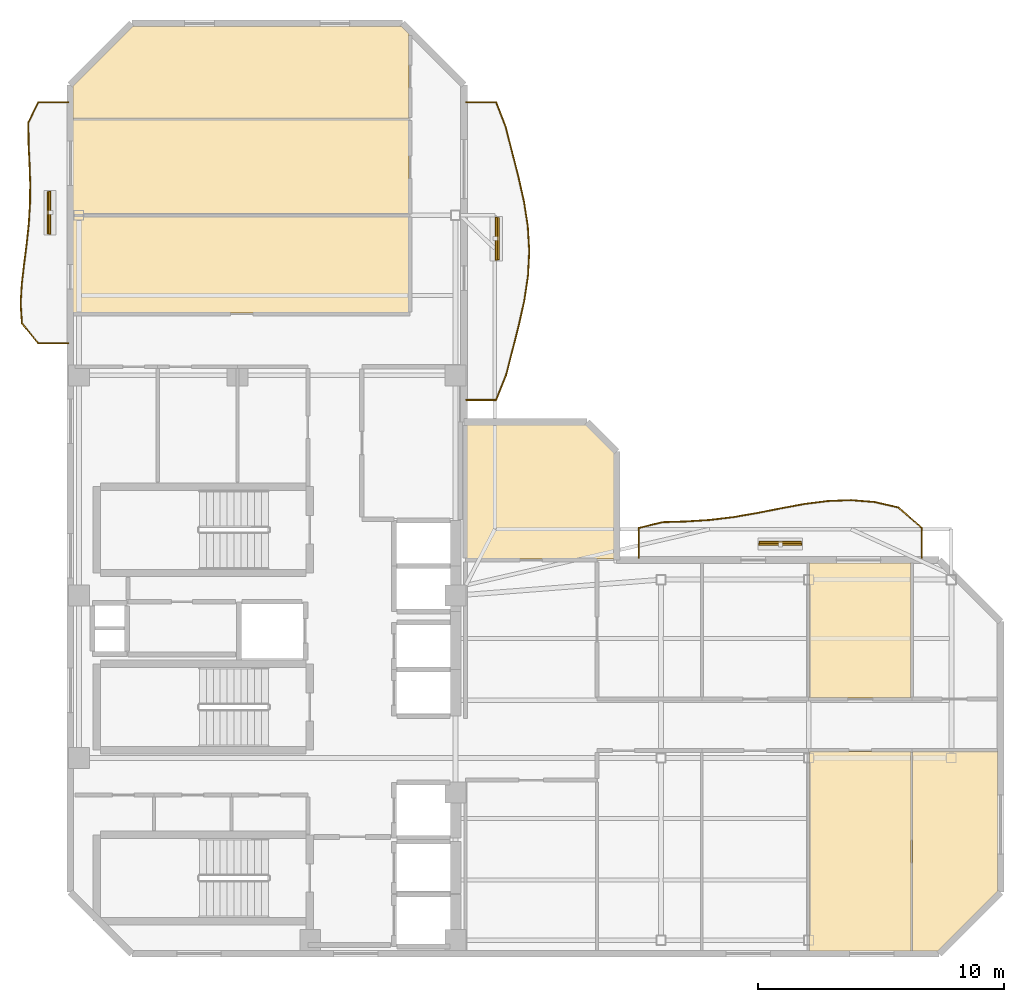
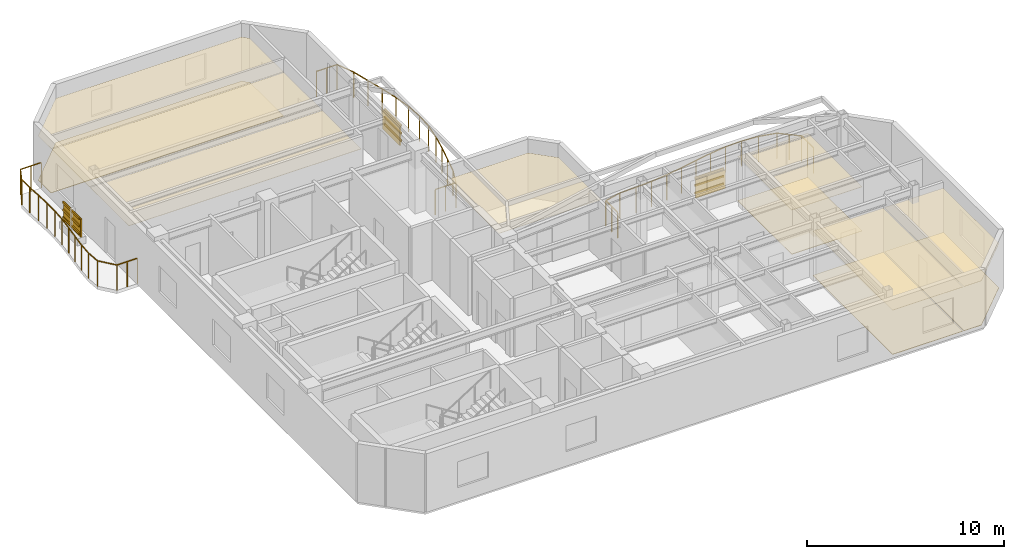
# One storey, part 7 of 7: 12 shading devices, 11 coverings, 3 railings.
"""IFC4 building model written with IfcOpenShell, lengths in metres."""

import ifcopenshell
import ifcopenshell.guid

model = None  # the IFC model being written
_history = None  # IfcOwnerHistory: only IFC2X3 demands one
_inside = {}  # id of a spatial element -> (the spatial element, [elements in it])
_under = {}  # id of a project, library or spatial element -> (it, [spatial elements below it])
_declared = {}  # id of a project -> (the project, [libraries it declares])
_typed = {}  # id of a type object -> (the type object, [elements of that type])
_made_of = {}  # id of a material, layer set ... -> (it, [elements and type objects made of it])


def new_model(schema):
    """Start an empty IFC model of exactly this schema.

    Asked for "IFC4X3", IfcOpenShell would pick the latest addendum, in which some entities
    have other attributes; the version numbers below select the first issue.
    IFC2X3 requires an IfcOwnerHistory on every rooted entity: one is made here for all.
    """
    global model, _history
    if schema == "IFC4X3":
        model = ifcopenshell.file(schema_version=(4, 3, 0, 0))
    else:
        model = ifcopenshell.file(schema=schema)
    _inside.clear()
    _under.clear()
    _declared.clear()
    _typed.clear()
    _made_of.clear()
    _history = None
    if model.schema == "IFC2X3":
        org = make("IfcOrganization", Name="unknown")
        user = make(
            "IfcPersonAndOrganization",
            ThePerson=make("IfcPerson", FamilyName="unknown"),
            TheOrganization=org,
        )
        app = make(
            "IfcApplication",
            ApplicationDeveloper=org,
            Version="unknown",
            ApplicationFullName="unknown",
            ApplicationIdentifier="unknown",
        )
        _history = make(
            "IfcOwnerHistory",
            OwningUser=user,
            OwningApplication=app,
            ChangeAction="ADDED",
            CreationDate=0,
        )
    return model


def make(cls, **values):
    """One entity of the class cls with the attributes given. An attribute that is None is left unset."""
    return model.create_entity(
        cls, **{name: value for name, value in values.items() if value is not None}
    )


def rooted(cls, **values):
    """An entity with a GlobalId (a new one), such as an element, a storey or a relation."""
    return make(cls, GlobalId=ifcopenshell.guid.new(), OwnerHistory=_history, **values)


def si_unit(unit_type, name, prefix=None):
    """IfcSIUnit, for example si_unit("LENGTHUNIT", "METRE", prefix="MILLI")."""
    return make("IfcSIUnit", UnitType=unit_type, Prefix=prefix, Name=name)


def assignment(units):
    """IfcUnitAssignment: the units of a project."""
    return None if units is None else make("IfcUnitAssignment", Units=units)


def point(xyz):
    """IfcCartesianPoint."""
    return None if xyz is None else make("IfcCartesianPoint", Coordinates=xyz)


def direction(xyz):
    """IfcDirection."""
    return None if xyz is None else make("IfcDirection", DirectionRatios=xyz)


def frame(location, z_axis=None, x_axis=None):
    """IfcAxis2Placement3D, a coordinate frame: its origin and axes. An axis left out is left unset."""
    return make(
        "IfcAxis2Placement3D",
        Location=point(location),
        Axis=direction(z_axis),
        RefDirection=direction(x_axis),
    )


def frame_2d(location, x_axis=None):
    """IfcAxis2Placement2D, a coordinate frame in the plane: its origin and x axis."""
    return make(
        "IfcAxis2Placement2D", Location=point(location), RefDirection=direction(x_axis)
    )


def origin():
    """The frame at (0, 0, 0) with its axes left unset."""
    return frame((0.0, 0.0, 0.0))


def origin_2d():
    """The frame at (0, 0) in the plane with its x axis left unset."""
    return frame_2d((0.0, 0.0))


def place(relative_to, where):
    """IfcLocalPlacement: puts the frame where relative to a parent placement (None: the world)."""
    return make(
        "IfcLocalPlacement", PlacementRelTo=relative_to, RelativePlacement=where
    )


def context(
    kind, dimensions, precision=None, world=None, true_north=None, identifier=None
):
    """IfcGeometricRepresentationContext, for example the 3D "Model" context."""
    return make(
        "IfcGeometricRepresentationContext",
        ContextIdentifier=identifier,
        ContextType=kind,
        CoordinateSpaceDimension=dimensions,
        Precision=precision,
        WorldCoordinateSystem=world,
        TrueNorth=true_north,
    )


def subcontext(parent, identifier, kind, view, scale=None):
    """IfcGeometricRepresentationSubContext, for example "Body" below "Model"."""
    return make(
        "IfcGeometricRepresentationSubContext",
        ContextIdentifier=identifier,
        ContextType=kind,
        ParentContext=parent,
        TargetScale=scale,
        TargetView=view,
    )


def project(units=None, contexts=None):
    """IfcProject with its units and contexts."""
    return rooted(
        "IfcProject",
        Name="project",
        RepresentationContexts=contexts,
        UnitsInContext=assignment(units),
    )


def spatial(cls, under=None, at=None, **own):
    """A site, building, storey or space (cls), placed at a placement, below another one or the project."""
    s = rooted(cls, ObjectPlacement=at, **own)
    if under is not None:
        _under.setdefault(under.id(), (under, []))[1].append(s)
    return s


def polyline(points):
    """IfcPolyline through the points."""
    return make("IfcPolyline", Points=[point(p) for p in points])


def profile(cls, at=None, kind="AREA", **sizes):
    """A parametric profile (cls). Its sizes go by their IFC names, for example OverallWidth=200.0."""
    return make(cls, ProfileType=kind, Position=at, **sizes)


def rectangle(**sizes):
    """IfcRectangleProfileDef."""
    return profile("IfcRectangleProfileDef", **sizes)


def outline(outer, holes=None, kind="AREA"):
    """IfcArbitraryClosedProfileDef: a profile drawn as a closed curve; with holes, ...WithVoids."""
    if holes is None:
        return make("IfcArbitraryClosedProfileDef", ProfileType=kind, OuterCurve=outer)
    return make(
        "IfcArbitraryProfileDefWithVoids",
        ProfileType=kind,
        OuterCurve=outer,
        InnerCurves=holes,
    )


def extrude(swept, where, along, depth):
    """IfcExtrudedAreaSolid: the profile swept, set in the frame where, extruded along a direction by depth."""
    return make(
        "IfcExtrudedAreaSolid",
        SweptArea=swept,
        Position=where,
        ExtrudedDirection=direction(along),
        Depth=depth,
    )


def shape(context_of_items, identifier, shape_type, items):
    """IfcShapeRepresentation: the items that make up one representation, for example the "Body"."""
    return make(
        "IfcShapeRepresentation",
        ContextOfItems=context_of_items,
        RepresentationIdentifier=identifier,
        RepresentationType=shape_type,
        Items=items,
    )


def material(Name=None, Category=None):
    """IfcMaterial."""
    return make("IfcMaterial", Name=Name, Category=Category)


def layer(
    of_material, thickness, ventilated=None, Name=None, Category=None, Priority=None
):
    """IfcMaterialLayer: one layer of a wall or slab, of a material (None: an air gap)."""
    return make(
        "IfcMaterialLayer",
        Material=of_material,
        LayerThickness=thickness,
        IsVentilated=ventilated,
        Name=Name,
        Category=Category,
        Priority=Priority,
    )


def layer_set(layers, Name=None):
    """IfcMaterialLayerSet."""
    return make("IfcMaterialLayerSet", MaterialLayers=layers, LayerSetName=Name)


def material_profile(
    of_material, cross_section, Name=None, Category=None, Priority=None
):
    """IfcMaterialProfile: a cross section and its material."""
    return make(
        "IfcMaterialProfile",
        Name=Name,
        Material=of_material,
        Profile=cross_section,
        Priority=Priority,
        Category=Category,
    )


def profile_set(profiles, Name=None, composite=None):
    """IfcMaterialProfileSet."""
    return make(
        "IfcMaterialProfileSet",
        Name=Name,
        MaterialProfiles=profiles,
        CompositeProfile=composite,
    )


def made_of(thing, what):
    """Note that an element or type object is made of a material, layer set ...; save() writes the relation."""
    if what is not None:
        _made_of.setdefault(what.id(), (what, []))[1].append(thing)
    return thing


def type_object(cls, material=None, **own):
    """A type object (cls), such as IfcWallType, which elements share."""
    return made_of(rooted(cls, **own), material)


def element(
    cls,
    number,
    at=None,
    inside=None,
    cuts=None,
    type_object=None,
    material=None,
    context=None,
    identifier="Body",
    shape_type=None,
    held_by="IfcProductDefinitionShape",
    body=None,
    shapes=None,
    **own,
):
    """One element of the class cls, such as IfcWall. Its Tag is "e" and its number.

    at: its placement. inside: the storey or other place that contains it. cuts: it is an
    opening in that element (IfcRelVoidsElement). A single representation is given by context,
    identifier, shape_type and body (its items); several are given by shapes. held_by: the class
    of the entity that holds the representations. save() writes the other relations.
    """
    e = rooted(cls, Tag="e%d" % number, ObjectPlacement=at, **own)
    if body is not None:
        shapes = [shape(context, identifier, shape_type, body)]
    if shapes is not None:
        e.Representation = make(held_by, Representations=shapes)
    if inside is not None:
        _inside.setdefault(inside.id(), (inside, []))[1].append(e)
    if cuts is not None:
        rooted(
            "IfcRelVoidsElement", RelatingBuildingElement=cuts, RelatedOpeningElement=e
        )
    if type_object is not None:
        _typed.setdefault(type_object.id(), (type_object, []))[1].append(e)
    return made_of(e, material)


def aggregate(whole, parts):
    """IfcRelAggregates: a whole, such as a stair, and the parts it consists of."""
    return rooted("IfcRelAggregates", RelatingObject=whole, RelatedObjects=parts)


def save(model, path):
    """Write the relations noted so far, then the file.

    IfcRelAggregates (storeys below a building ...), IfcRelContainedInSpatialStructure (elements
    in a storey), IfcRelDefinesByType, IfcRelAssociatesMaterial and IfcRelDeclares: one each for
    every whole, place, type object, material and project.
    """
    for whole, parts in _under.values():
        aggregate(whole, parts)
    for where, things in _inside.values():
        rooted(
            "IfcRelContainedInSpatialStructure",
            RelatedElements=things,
            RelatingStructure=where,
        )
    for kind, things in _typed.values():
        rooted("IfcRelDefinesByType", RelatedObjects=things, RelatingType=kind)
    for what, things in _made_of.values():
        rooted("IfcRelAssociatesMaterial", RelatedObjects=things, RelatingMaterial=what)
    for by, libraries in _declared.values():
        rooted("IfcRelDeclares", RelatingContext=by, RelatedDefinitions=libraries)
    model.write(path)


model = new_model("IFC4")

# Units and contexts
model_context = context("Model", 3, precision=1e-05, world=origin(), true_north=direction((0.0, 1.0)))
body_context = subcontext(model_context, "Body", "Model", "MODEL_VIEW")
ifc_project = project(units=[si_unit("LENGTHUNIT", "METRE"), si_unit("AREAUNIT", "SQUARE_METRE"), si_unit("VOLUMEUNIT", "CUBIC_METRE"), si_unit("PLANEANGLEUNIT", "RADIAN"), si_unit("MASSUNIT", "GRAM", prefix="KILO")], contexts=[model_context])

# Site, building, storey
site_placement = place(None, origin())
site = spatial("IfcSite", under=ifc_project, at=site_placement, CompositionType="ELEMENT")
building_placement = place(site_placement, origin())
building = spatial("IfcBuilding", under=site, at=building_placement, Name="Mawjaban Terraces University", CompositionType="ELEMENT")
storey_placement = place(building_placement, frame((0.0, 0.0, 302.800048828125)))
storey = spatial("IfcBuildingStorey", under=building, at=storey_placement, Name="L74", CompositionType="ELEMENT", Elevation=302.800048828125)

# Coverings
ifc_material_1 = material(Name="Acoustic mineral fibre ceiling tile", Category="masonry")
ifc_layer_1 = layer(ifc_material_1, 0.02001953125)
ifc_layer_set_1 = layer_set([ifc_layer_1], Name="Acoustic mineral fibre ceiling tile")
covering_type_1 = type_object("IfcCoveringType", Name="AcousticMineralCeiling_20", PredefinedType="CEILING", material=ifc_layer_set_1)
covering_1_placement = place(storey_placement, frame((0.0, 0.0, 2.75)))
element("IfcCovering", 1, at=covering_1_placement, inside=storey, type_object=covering_type_1, Name="L74 Conference Room 6 Acoustic Ceiling", PredefinedType="CEILING", context=body_context, shape_type="SweptSolid", body=[
    extrude(outline(polyline([(52.030029296875, 0.114990234375), (56.162109375, 0.114990234375), (56.162109375, 8.219970703125), (52.030029296875, 8.219970703125), (52.030029296875, 0.114990234375)])), origin(), (0.0, 0.0, 1.0), 0.02001953125),
])
covering_2_placement = place(storey_placement, frame((0.0, 0.0, 2.75)))
element("IfcCovering", 2, at=covering_2_placement, inside=storey, type_object=covering_type_1, Name="L74 Classroom 7 Acoustic Ceiling", PredefinedType="CEILING", context=body_context, shape_type="SweptSolid", body=[
    extrude(outline(polyline([(56.162109375, 15.885009765625), (52.030029296875, 15.885009765625), (52.030029296875, 10.3798828125), (56.162109375, 10.3798828125), (56.162109375, 15.885009765625)])), origin(), (0.0, 0.0, 1.0), 0.02001953125),
])
covering_3_placement = place(storey_placement, frame((0.0, 0.0, 2.75)))
element("IfcCovering", 3, at=covering_3_placement, inside=storey, type_object=covering_type_1, Name="L74 Seminar Room 8 Acoustic Ceiling", PredefinedType="CEILING", context=body_context, shape_type="SweptSolid", body=[
    extrude(outline(polyline([(56.221923828125, 0.114990234375), (57.2529296875, 0.114990234375), (59.68505859375, 2.547119140625), (59.68505859375, 8.219970703125), (56.221923828125, 8.219970703125), (56.221923828125, 0.114990234375)])), origin(), (0.0, 0.0, 1.0), 0.02001953125),
])
covering_4_placement = place(storey_placement, frame((0.0, 0.0, 2.75)))
element("IfcCovering", 4, at=covering_4_placement, inside=storey, type_object=covering_type_1, Name="L74 Student Tea Pantry 10 Acoustic Ceiling", PredefinedType="CEILING", context=body_context, shape_type="SweptSolid", body=[
    extrude(outline(polyline([(22.114990234375, 29.969970703125), (22.114990234375, 26.030029296875), (35.77001953125, 26.030029296875), (35.77001953125, 29.969970703125), (22.114990234375, 29.969970703125)])), origin(), (0.0, 0.0, 1.0), 0.02001953125),
])
covering_5_placement = place(storey_placement, frame((0.0, 0.0, 2.75)))
element("IfcCovering", 5, at=covering_5_placement, inside=storey, type_object=covering_type_1, Name="L74 Student Tea Pantry 11 Acoustic Ceiling", PredefinedType="CEILING", context=body_context, shape_type="SweptSolid", body=[
    extrude(outline(polyline([(22.114990234375, 33.8759765625), (22.114990234375, 30.030029296875), (35.77001953125, 30.030029296875), (35.77001953125, 33.8759765625), (22.114990234375, 33.8759765625)])), origin(), (0.0, 0.0, 1.0), 0.02001953125),
])
covering_6_placement = place(storey_placement, frame((0.0, 0.0, 2.75)))
element("IfcCovering", 6, at=covering_6_placement, inside=storey, type_object=covering_type_1, Name="L74 Quiet Reading Room 12 Acoustic Ceiling", PredefinedType="CEILING", context=body_context, shape_type="SweptSolid", body=[
    extrude(outline(polyline([(35.77001953125, 37.367919921875), (35.452880859375, 37.68505859375), (24.547119140625, 37.68505859375), (22.114990234375, 35.2529296875), (22.114990234375, 33.93603515625), (35.77001953125, 33.93603515625), (35.77001953125, 37.367919921875)])), origin(), (0.0, 0.0, 1.0), 0.02001953125),
])
covering_7_placement = place(storey_placement, frame((0.0, 0.0, 2.75)))
element("IfcCovering", 7, at=covering_7_placement, inside=storey, type_object=covering_type_1, Name="L74 Terrace Collaborative Study Room Acoustic Ceiling", PredefinedType="CEILING", context=body_context, shape_type="SweptSolid", body=[
    extrude(outline(polyline([(44.0849609375, 16.030029296875), (44.0849609375, 20.35302734375), (42.952880859375, 21.485107421875), (38.080078125, 21.485107421875), (38.080078125, 16.030029296875), (44.0849609375, 16.030029296875)])), origin(), (0.0, 0.0, 1.0), 0.02001953125),
])

# Railings
ifc_material_2 = material(Name="Galvanised powder-coated steel S355", Category="steel")
railing_type = type_object("IfcRailingType", Name="BalconyBalustrade_1600", PredefinedType="BALUSTRADE", material=ifc_material_2)
railing_1_placement = place(storey_placement, frame((21.919921875, 24.800048828125, 0.0)))
element("IfcRailing", 8, at=railing_1_placement, inside=storey, type_object=railing_type, Name="L74 Balcony Guardrail west", PredefinedType="BALUSTRADE", context=body_context, shape_type="SweptSolid", body=[
    extrude(rectangle(XDim=0.048095703125, YDim=0.048095703125, at=origin_2d()), frame((0.0, 0.0, 1.576171875), z_axis=(-1.0, 0.0, 0.0), x_axis=(0.0, -1.0, 0.0)), (0.0, 0.0, 1.0), 1.219970703125),
    extrude(rectangle(XDim=0.048095703125, YDim=0.048095703125, at=origin_2d()), frame((-1.219970703125, 0.0, 1.576171875), z_axis=(-0.632455870978, 0.774596392494, 0.0), x_axis=(-0.774596392494, -0.632455870978, 0.0)), (0.0, 0.0, 1.0), 1.0546875),
    extrude(rectangle(XDim=0.048095703125, YDim=0.048095703125, at=origin_2d()), frame((-1.886962890625, 0.81689453125, 1.576171875), z_axis=(-0.063586288171, 0.997976344387, 0.0), x_axis=(-0.997976344387, -0.063586288171, 0.0)), (0.0, 0.0, 1.0), 0.81787109375),
    extrude(rectangle(XDim=0.048095703125, YDim=0.048095703125, at=origin_2d()), frame((-1.93896484375, 1.633056640625, 1.576171875), z_axis=(0.061152519077, 0.998128433324, 0.0), x_axis=(-0.998128433324, 0.061152519077, 0.0)), (0.0, 0.0, 1.0), 0.818359375),
    extrude(rectangle(XDim=0.048095703125, YDim=0.048095703125, at=origin_2d()), frame((-1.888916015625, 2.449951171875, 1.576171875), z_axis=(0.116651804912, 0.993172873376, 0.0), x_axis=(-0.993172873376, 0.116651804912, 0.0)), (0.0, 0.0, 1.0), 0.822509765625),
    extrude(rectangle(XDim=0.048095703125, YDim=0.048095703125, at=origin_2d()), frame((-1.79296875, 3.266845703125, 1.576171875), z_axis=(0.126408243371, 0.991978304202, 0.0), x_axis=(-0.991978304202, 0.126408243371, 0.0)), (0.0, 0.0, 1.0), 0.82275390625),
    extrude(rectangle(XDim=0.048095703125, YDim=0.048095703125, at=origin_2d()), frame((-1.68896484375, 4.0830078125, 1.576171875), z_axis=(0.103446794992, 0.994634988629, 0.0), x_axis=(-0.994634988629, 0.103446794992, 0.0)), (0.0, 0.0, 1.0), 0.8212890625),
    extrude(rectangle(XDim=0.048095703125, YDim=0.048095703125, at=origin_2d()), frame((-1.60400390625, 4.89990234375, 1.576171875), z_axis=(0.057567949493, 0.998341590434, 0.0), x_axis=(-0.998341590434, 0.057567949493, 0.0)), (0.0, 0.0, 1.0), 0.818603515625),
    extrude(rectangle(XDim=0.048095703125, YDim=0.048095703125, at=origin_2d()), frame((-1.556884765625, 5.717041015625, 1.576171875), z_axis=(0.007181143377, 0.999974215257, 0.0), x_axis=(-0.999974215257, 0.007181143377, 0.0)), (0.0, 0.0, 1.0), 0.81591796875),
    extrude(rectangle(XDim=0.048095703125, YDim=0.048095703125, at=origin_2d()), frame((-1.551025390625, 6.532958984375, 1.576171875), z_axis=(-0.035244079696, 0.999378734438, 0.0), x_axis=(-0.999378734438, -0.035244079696, 0.0)), (0.0, 0.0, 1.0), 0.8173828125),
    extrude(rectangle(XDim=0.048095703125, YDim=0.048095703125, at=origin_2d()), frame((-1.579833984375, 7.349853515625, 1.576171875), z_axis=(-0.04894038811, 0.998801701246, 0.0), x_axis=(-0.998801701246, -0.04894038811, 0.0)), (0.0, 0.0, 1.0), 0.818115234375),
    extrude(rectangle(XDim=0.048095703125, YDim=0.048095703125, at=origin_2d()), frame((-1.619873046875, 8.1669921875, 1.576171875), z_axis=(-0.003590641126, 0.999993553627, 0.0), x_axis=(-0.999993553627, -0.003590641126, 0.0)), (0.0, 0.0, 1.0), 0.81591796875),
    extrude(rectangle(XDim=0.048095703125, YDim=0.048095703125, at=origin_2d()), frame((-1.622802734375, 8.98291015625, 1.576171875), z_axis=(0.442168460361, 0.89693202232, 0.0), x_axis=(-0.89693202232, 0.442168460361, 0.0)), (0.0, 0.0, 1.0), 0.9111328125),
    extrude(rectangle(XDim=0.048095703125, YDim=0.048095703125, at=origin_2d()), frame((-1.219970703125, 9.800048828125, 1.576171875), z_axis=(1.0, 0.0, 0.0), x_axis=(0.0, 1.0, 0.0)), (0.0, 0.0, 1.0), 1.219970703125),
    extrude(rectangle(XDim=0.0419921875, YDim=0.0419921875, at=origin_2d()), origin(), (0.0, 0.0, 1.0), 1.552001953125),
    extrude(rectangle(XDim=0.0419921875, YDim=0.0419921875, at=origin_2d()), frame((-0.60986328125, 0.0, 0.0)), (0.0, 0.0, 1.0), 1.552001953125),
    extrude(rectangle(XDim=0.0419921875, YDim=0.0419921875, at=origin_2d()), frame((-1.219970703125, 0.0, 0.0)), (0.0, 0.0, 1.0), 1.552001953125),
    extrude(rectangle(XDim=0.0419921875, YDim=0.0419921875, at=origin_2d()), frame((-1.886962890625, 0.81689453125, 0.0)), (0.0, 0.0, 1.0), 1.552001953125),
    extrude(rectangle(XDim=0.0419921875, YDim=0.0419921875, at=origin_2d()), frame((-1.93896484375, 1.633056640625, 0.0)), (0.0, 0.0, 1.0), 1.552001953125),
    extrude(rectangle(XDim=0.0419921875, YDim=0.0419921875, at=origin_2d()), frame((-1.888916015625, 2.449951171875, 0.0)), (0.0, 0.0, 1.0), 1.552001953125),
    extrude(rectangle(XDim=0.0419921875, YDim=0.0419921875, at=origin_2d()), frame((-1.79296875, 3.266845703125, 0.0)), (0.0, 0.0, 1.0), 1.552001953125),
    extrude(rectangle(XDim=0.0419921875, YDim=0.0419921875, at=origin_2d()), frame((-1.68896484375, 4.0830078125, 0.0)), (0.0, 0.0, 1.0), 1.552001953125),
    extrude(rectangle(XDim=0.0419921875, YDim=0.0419921875, at=origin_2d()), frame((-1.60400390625, 4.89990234375, 0.0)), (0.0, 0.0, 1.0), 1.552001953125),
    extrude(rectangle(XDim=0.0419921875, YDim=0.0419921875, at=origin_2d()), frame((-1.556884765625, 5.717041015625, 0.0)), (0.0, 0.0, 1.0), 1.552001953125),
    extrude(rectangle(XDim=0.0419921875, YDim=0.0419921875, at=origin_2d()), frame((-1.551025390625, 6.532958984375, 0.0)), (0.0, 0.0, 1.0), 1.552001953125),
    extrude(rectangle(XDim=0.0419921875, YDim=0.0419921875, at=origin_2d()), frame((-1.579833984375, 7.349853515625, 0.0)), (0.0, 0.0, 1.0), 1.552001953125),
    extrude(rectangle(XDim=0.0419921875, YDim=0.0419921875, at=origin_2d()), frame((-1.619873046875, 8.1669921875, 0.0)), (0.0, 0.0, 1.0), 1.552001953125),
    extrude(rectangle(XDim=0.0419921875, YDim=0.0419921875, at=origin_2d()), frame((-1.622802734375, 8.98291015625, 0.0)), (0.0, 0.0, 1.0), 1.552001953125),
    extrude(rectangle(XDim=0.0419921875, YDim=0.0419921875, at=origin_2d()), frame((-1.219970703125, 9.800048828125, 0.0)), (0.0, 0.0, 1.0), 1.552001953125),
    extrude(rectangle(XDim=0.0419921875, YDim=0.0419921875, at=origin_2d()), frame((-0.60986328125, 9.800048828125, 0.0)), (0.0, 0.0, 1.0), 1.552001953125),
    extrude(rectangle(XDim=0.0419921875, YDim=0.0419921875, at=origin_2d()), frame((0.0, 9.800048828125, 0.0)), (0.0, 0.0, 1.0), 1.552001953125),
])
railing_2_placement = place(storey_placement, frame((45.10009765625, 16.080078125, 0.0)))
element("IfcRailing", 9, at=railing_2_placement, inside=storey, type_object=railing_type, Name="L74 Balcony Guardrail inner_north", PredefinedType="BALUSTRADE", context=body_context, shape_type="SweptSolid", body=[
    extrude(rectangle(XDim=0.048095703125, YDim=0.048095703125, at=origin_2d()), frame((0.0, 0.0, 1.576171875), z_axis=(0.0, 1.0, 0.0), x_axis=(-1.0, 0.0, 0.0)), (0.0, 0.0, 1.0), 1.219970703125),
    extrude(rectangle(XDim=0.048095703125, YDim=0.048095703125, at=origin_2d()), frame((0.0, 1.219970703125, 1.576171875), z_axis=(0.971009577293, 0.239040584013, 0.0), x_axis=(-0.239040584013, 0.971009577293, 0.0)), (0.0, 0.0, 1.0), 0.986572265625),
    extrude(rectangle(XDim=0.048095703125, YDim=0.048095703125, at=origin_2d()), frame((0.9580078125, 1.455810546875, 1.576171875), z_axis=(0.99954141257, 0.030281422631, 0.0), x_axis=(-0.030281422631, 0.99954141257, 0.0)), (0.0, 0.0, 1.0), 0.95947265625),
    extrude(rectangle(XDim=0.048095703125, YDim=0.048095703125, at=origin_2d()), frame((1.9169921875, 1.48486328125, 1.576171875), z_axis=(0.998040684472, 0.062568299791, 0.0), x_axis=(-0.062568299791, 0.998040684472, 0.0)), (0.0, 0.0, 1.0), 0.9599609375),
    extrude(rectangle(XDim=0.048095703125, YDim=0.048095703125, at=origin_2d()), frame((2.875, 1.544921875, 1.576171875), z_axis=(0.992873246187, 0.119175152639, 0.0), x_axis=(-0.119175152639, 0.992873246187, 0.0)), (0.0, 0.0, 1.0), 0.96484375),
    extrude(rectangle(XDim=0.048095703125, YDim=0.048095703125, at=origin_2d()), frame((3.8330078125, 1.659912109375, 1.576171875), z_axis=(0.985512218227, 0.169604444888, 0.0), x_axis=(-0.169604444888, 0.985512218227, 0.0)), (0.0, 0.0, 1.0), 0.97314453125),
    extrude(rectangle(XDim=0.048095703125, YDim=0.048095703125, at=origin_2d()), frame((4.7919921875, 1.824951171875, 1.576171875), z_axis=(0.981096520118, 0.193519038372, 0.0), x_axis=(-0.193519038372, 0.981096520118, 0.0)), (0.0, 0.0, 1.0), 0.9765625),
    extrude(rectangle(XDim=0.048095703125, YDim=0.048095703125, at=origin_2d()), frame((5.75, 2.013916015625, 1.576171875), z_axis=(0.983356703405, 0.181685425578, 0.0), x_axis=(-0.181685425578, 0.983356703405, 0.0)), (0.0, 0.0, 1.0), 0.97412109375),
    extrude(rectangle(XDim=0.048095703125, YDim=0.048095703125, at=origin_2d()), frame((6.7080078125, 2.19091796875, 1.576171875), z_axis=(0.991740611713, 0.128259732879, 0.0), x_axis=(-0.128259732879, 0.991740611713, 0.0)), (0.0, 0.0, 1.0), 0.967041015625),
    extrude(rectangle(XDim=0.048095703125, YDim=0.048095703125, at=origin_2d()), frame((7.6669921875, 2.31494140625, 1.576171875), z_axis=(0.99926042214, 0.038452681892, 0.0), x_axis=(-0.038452681892, 0.99926042214, 0.0)), (0.0, 0.0, 1.0), 0.958740234375),
    extrude(rectangle(XDim=0.048095703125, YDim=0.048095703125, at=origin_2d()), frame((8.625, 2.351806640625, 1.576171875), z_axis=(0.996711883183, -0.081027291217, 0.0), x_axis=(0.081027291217, 0.996711883183, 0.0)), (0.0, 0.0, 1.0), 0.961181640625),
    extrude(rectangle(XDim=0.048095703125, YDim=0.048095703125, at=origin_2d()), frame((9.5830078125, 2.27392578125, 1.576171875), z_axis=(0.974687275696, -0.223572615937, 0.0), x_axis=(0.223572615937, 0.974687275696, 0.0)), (0.0, 0.0, 1.0), 0.98388671875),
    extrude(rectangle(XDim=0.048095703125, YDim=0.048095703125, at=origin_2d()), frame((10.5419921875, 2.053955078125, 1.576171875), z_axis=(0.754241257704, -0.656597384382, 0.0), x_axis=(0.656597384382, 0.754241257704, 0.0)), (0.0, 0.0, 1.0), 1.270263671875),
    extrude(rectangle(XDim=0.048095703125, YDim=0.048095703125, at=origin_2d()), frame((11.5, 1.219970703125, 1.576171875), z_axis=(0.0, -1.0, 0.0), x_axis=(1.0, 0.0, 0.0)), (0.0, 0.0, 1.0), 1.219970703125),
    extrude(rectangle(XDim=0.0419921875, YDim=0.0419921875, at=origin_2d()), origin(), (0.0, 0.0, 1.0), 1.552001953125),
    extrude(rectangle(XDim=0.0419921875, YDim=0.0419921875, at=origin_2d()), frame((0.0, 0.60986328125, 0.0)), (0.0, 0.0, 1.0), 1.552001953125),
    extrude(rectangle(XDim=0.0419921875, YDim=0.0419921875, at=origin_2d()), frame((0.0, 1.219970703125, 0.0)), (0.0, 0.0, 1.0), 1.552001953125),
    extrude(rectangle(XDim=0.0419921875, YDim=0.0419921875, at=origin_2d()), frame((0.9580078125, 1.455810546875, 0.0)), (0.0, 0.0, 1.0), 1.552001953125),
    extrude(rectangle(XDim=0.0419921875, YDim=0.0419921875, at=origin_2d()), frame((1.9169921875, 1.48486328125, 0.0)), (0.0, 0.0, 1.0), 1.552001953125),
    extrude(rectangle(XDim=0.0419921875, YDim=0.0419921875, at=origin_2d()), frame((2.875, 1.544921875, 0.0)), (0.0, 0.0, 1.0), 1.552001953125),
    extrude(rectangle(XDim=0.0419921875, YDim=0.0419921875, at=origin_2d()), frame((3.8330078125, 1.659912109375, 0.0)), (0.0, 0.0, 1.0), 1.552001953125),
    extrude(rectangle(XDim=0.0419921875, YDim=0.0419921875, at=origin_2d()), frame((4.7919921875, 1.824951171875, 0.0)), (0.0, 0.0, 1.0), 1.552001953125),
    extrude(rectangle(XDim=0.0419921875, YDim=0.0419921875, at=origin_2d()), frame((5.75, 2.013916015625, 0.0)), (0.0, 0.0, 1.0), 1.552001953125),
    extrude(rectangle(XDim=0.0419921875, YDim=0.0419921875, at=origin_2d()), frame((6.7080078125, 2.19091796875, 0.0)), (0.0, 0.0, 1.0), 1.552001953125),
    extrude(rectangle(XDim=0.0419921875, YDim=0.0419921875, at=origin_2d()), frame((7.6669921875, 2.31494140625, 0.0)), (0.0, 0.0, 1.0), 1.552001953125),
    extrude(rectangle(XDim=0.0419921875, YDim=0.0419921875, at=origin_2d()), frame((8.625, 2.351806640625, 0.0)), (0.0, 0.0, 1.0), 1.552001953125),
    extrude(rectangle(XDim=0.0419921875, YDim=0.0419921875, at=origin_2d()), frame((9.5830078125, 2.27392578125, 0.0)), (0.0, 0.0, 1.0), 1.552001953125),
    extrude(rectangle(XDim=0.0419921875, YDim=0.0419921875, at=origin_2d()), frame((10.5419921875, 2.053955078125, 0.0)), (0.0, 0.0, 1.0), 1.552001953125),
    extrude(rectangle(XDim=0.0419921875, YDim=0.0419921875, at=origin_2d()), frame((11.02099609375, 1.636962890625, 0.0)), (0.0, 0.0, 1.0), 1.552001953125),
    extrude(rectangle(XDim=0.0419921875, YDim=0.0419921875, at=origin_2d()), frame((11.5, 1.219970703125, 0.0)), (0.0, 0.0, 1.0), 1.552001953125),
    extrude(rectangle(XDim=0.0419921875, YDim=0.0419921875, at=origin_2d()), frame((11.5, 0.60986328125, 0.0)), (0.0, 0.0, 1.0), 1.552001953125),
    extrude(rectangle(XDim=0.0419921875, YDim=0.0419921875, at=origin_2d()), frame((11.5, 0.0, 0.0)), (0.0, 0.0, 1.0), 1.552001953125),
])
railing_3_placement = place(storey_placement, frame((38.080078125, 22.5, 0.0)))
element("IfcRailing", 10, at=railing_3_placement, inside=storey, type_object=railing_type, Name="L74 Balcony Guardrail inner_east", PredefinedType="BALUSTRADE", context=body_context, shape_type="SweptSolid", body=[
    extrude(rectangle(XDim=0.048095703125, YDim=0.048095703125, at=origin_2d()), frame((0.0, 0.0, 1.576171875), z_axis=(1.0, 0.0, 0.0), x_axis=(0.0, 1.0, 0.0)), (0.0, 0.0, 1.0), 1.219970703125),
    extrude(rectangle(XDim=0.048095703125, YDim=0.048095703125, at=origin_2d()), frame((1.219970703125, 0.0, 1.576171875), z_axis=(0.373597420042, 0.927590948499, 0.0), x_axis=(-0.927590948499, 0.373597420042, 0.0)), (0.0, 0.0, 1.0), 1.086669921875),
    extrude(rectangle(XDim=0.048095703125, YDim=0.048095703125, at=origin_2d()), frame((1.6259765625, 1.008056640625, 1.576171875), z_axis=(0.248651622798, 0.968592984943, 0.0), x_axis=(-0.968592984943, 0.248651622798, 0.0)), (0.0, 0.0, 1.0), 1.041748046875),
    extrude(rectangle(XDim=0.048095703125, YDim=0.048095703125, at=origin_2d()), frame((1.885009765625, 2.01708984375, 1.576171875), z_axis=(0.247833249983, 0.968802704478, 0.0), x_axis=(-0.968802704478, 0.247833249983, 0.0)), (0.0, 0.0, 1.0), 1.040283203125),
    extrude(rectangle(XDim=0.048095703125, YDim=0.048095703125, at=origin_2d()), frame((2.142822265625, 3.02490234375, 1.576171875), z_axis=(0.217030586129, 0.976164804059, 0.0), x_axis=(-0.976164804059, 0.217030586129, 0.0)), (0.0, 0.0, 1.0), 1.03271484375),
    extrude(rectangle(XDim=0.048095703125, YDim=0.048095703125, at=origin_2d()), frame((2.366943359375, 4.032958984375, 1.576171875), z_axis=(0.14905407591, 0.988829046122, 0.0), x_axis=(-0.988829046122, 0.14905407591, 0.0)), (0.0, 0.0, 1.0), 1.0205078125),
    extrude(rectangle(XDim=0.048095703125, YDim=0.048095703125, at=origin_2d()), frame((2.51904296875, 5.0419921875, 1.576171875), z_axis=(0.050311596633, 0.998733569699, 0.0), x_axis=(-0.998733569699, 0.050311596633, 0.0)), (0.0, 0.0, 1.0), 1.00927734375),
    extrude(rectangle(XDim=0.048095703125, YDim=0.048095703125, at=origin_2d()), frame((2.56982421875, 6.050048828125, 1.576171875), z_axis=(-0.058268473899, 0.998300949088, 0.0), x_axis=(-0.998300949088, -0.058268473899, 0.0)), (0.0, 0.0, 1.0), 1.009765625),
    extrude(rectangle(XDim=0.048095703125, YDim=0.048095703125, at=origin_2d()), frame((2.510986328125, 7.05810546875, 1.576171875), z_axis=(-0.153764080296, 0.988107589087, 0.0), x_axis=(-0.988107589087, -0.153764080296, 0.0)), (0.0, 0.0, 1.0), 1.02099609375),
    extrude(rectangle(XDim=0.048095703125, YDim=0.048095703125, at=origin_2d()), frame((2.35400390625, 8.06689453125, 1.576171875), z_axis=(-0.219731452988, 0.975560397191, 0.0), x_axis=(-0.975560397191, -0.219731452988, 0.0)), (0.0, 0.0, 1.0), 1.033203125),
    extrude(rectangle(XDim=0.048095703125, YDim=0.048095703125, at=origin_2d()), frame((2.126953125, 9.074951171875, 1.576171875), z_axis=(-0.247997125649, 0.968760768028, 0.0), x_axis=(-0.968760768028, -0.247997125649, 0.0)), (0.0, 0.0, 1.0), 1.04052734375),
    extrude(rectangle(XDim=0.048095703125, YDim=0.048095703125, at=origin_2d()), frame((1.868896484375, 10.0830078125, 1.576171875), z_axis=(-0.244025995263, 0.96976869079, 0.0), x_axis=(-0.96976869079, -0.244025995263, 0.0)), (0.0, 0.0, 1.0), 1.04052734375),
    extrude(rectangle(XDim=0.048095703125, YDim=0.048095703125, at=origin_2d()), frame((1.614990234375, 11.092041015625, 1.576171875), z_axis=(-0.364849925038, 0.93106634146, 0.0), x_axis=(-0.93106634146, -0.364849925038, 0.0)), (0.0, 0.0, 1.0), 1.082763671875),
    extrude(rectangle(XDim=0.048095703125, YDim=0.048095703125, at=origin_2d()), frame((1.219970703125, 12.10009765625, 1.576171875), z_axis=(-1.0, 0.0, 0.0), x_axis=(0.0, -1.0, 0.0)), (0.0, 0.0, 1.0), 1.219970703125),
    extrude(rectangle(XDim=0.0419921875, YDim=0.0419921875, at=origin_2d()), origin(), (0.0, 0.0, 1.0), 1.552001953125),
    extrude(rectangle(XDim=0.0419921875, YDim=0.0419921875, at=origin_2d()), frame((0.60986328125, 0.0, 0.0)), (0.0, 0.0, 1.0), 1.552001953125),
    extrude(rectangle(XDim=0.0419921875, YDim=0.0419921875, at=origin_2d()), frame((1.219970703125, 0.0, 0.0)), (0.0, 0.0, 1.0), 1.552001953125),
    extrude(rectangle(XDim=0.0419921875, YDim=0.0419921875, at=origin_2d()), frame((1.6259765625, 1.008056640625, 0.0)), (0.0, 0.0, 1.0), 1.552001953125),
    extrude(rectangle(XDim=0.0419921875, YDim=0.0419921875, at=origin_2d()), frame((1.885009765625, 2.01708984375, 0.0)), (0.0, 0.0, 1.0), 1.552001953125),
    extrude(rectangle(XDim=0.0419921875, YDim=0.0419921875, at=origin_2d()), frame((2.142822265625, 3.02490234375, 0.0)), (0.0, 0.0, 1.0), 1.552001953125),
    extrude(rectangle(XDim=0.0419921875, YDim=0.0419921875, at=origin_2d()), frame((2.366943359375, 4.032958984375, 0.0)), (0.0, 0.0, 1.0), 1.552001953125),
    extrude(rectangle(XDim=0.0419921875, YDim=0.0419921875, at=origin_2d()), frame((2.51904296875, 5.0419921875, 0.0)), (0.0, 0.0, 1.0), 1.552001953125),
    extrude(rectangle(XDim=0.0419921875, YDim=0.0419921875, at=origin_2d()), frame((2.56982421875, 6.050048828125, 0.0)), (0.0, 0.0, 1.0), 1.552001953125),
    extrude(rectangle(XDim=0.0419921875, YDim=0.0419921875, at=origin_2d()), frame((2.510986328125, 7.05810546875, 0.0)), (0.0, 0.0, 1.0), 1.552001953125),
    extrude(rectangle(XDim=0.0419921875, YDim=0.0419921875, at=origin_2d()), frame((2.35400390625, 8.06689453125, 0.0)), (0.0, 0.0, 1.0), 1.552001953125),
    extrude(rectangle(XDim=0.0419921875, YDim=0.0419921875, at=origin_2d()), frame((2.126953125, 9.074951171875, 0.0)), (0.0, 0.0, 1.0), 1.552001953125),
    extrude(rectangle(XDim=0.0419921875, YDim=0.0419921875, at=origin_2d()), frame((1.868896484375, 10.0830078125, 0.0)), (0.0, 0.0, 1.0), 1.552001953125),
    extrude(rectangle(XDim=0.0419921875, YDim=0.0419921875, at=origin_2d()), frame((1.614990234375, 11.092041015625, 0.0)), (0.0, 0.0, 1.0), 1.552001953125),
    extrude(rectangle(XDim=0.0419921875, YDim=0.0419921875, at=origin_2d()), frame((1.219970703125, 12.10009765625, 0.0)), (0.0, 0.0, 1.0), 1.552001953125),
    extrude(rectangle(XDim=0.0419921875, YDim=0.0419921875, at=origin_2d()), frame((0.60986328125, 12.10009765625, 0.0)), (0.0, 0.0, 1.0), 1.552001953125),
    extrude(rectangle(XDim=0.0419921875, YDim=0.0419921875, at=origin_2d()), frame((0.0, 12.10009765625, 0.0)), (0.0, 0.0, 1.0), 1.552001953125),
])

# Shading devices
ifc_material_3 = material(Name="Glazed architectural terracotta ceramic", Category="masonry")
ifc_material_profile = material_profile(ifc_material_3, rectangle(XDim=0.06494140625, YDim=0.110107421875, at=origin_2d()), Name="TBAG110X65")
ifc_profile_set = profile_set([ifc_material_profile], Name="Glazed architectural terracotta ceramic")
shading_device_type_1 = type_object("IfcShadingDeviceType", Name="TerracottaBaguette_110x65", PredefinedType="USERDEFINED", material=ifc_profile_set)
for number, where, z_axis, x_axis, name in (
    (11, (21.090087890625, 29.258056640625, 0.679931640625), (0.0, 1.0, 0.0), (-1.0, 0.0, 0.0), "L74 Horizontal Terracotta Baguette west.1"),
    (12, (21.090087890625, 29.258056640625, 1.14990234375), (0.0, 1.0, 0.0), (-1.0, 0.0, 0.0), "L74 Horizontal Terracotta Baguette west.2"),
    (13, (21.090087890625, 29.258056640625, 1.619873046875), (0.0, 1.0, 0.0), (-1.0, 0.0, 0.0), "L74 Horizontal Terracotta Baguette west.3"),
    (14, (50.0, 16.72998046875, 0.679931640625), (1.0, 0.0, 0.0), (0.0, 1.0, 0.0), "L74 Horizontal Terracotta Baguette inner_north.1"),
    (15, (50.0, 16.72998046875, 1.14990234375), (1.0, 0.0, 0.0), (0.0, 1.0, 0.0), "L74 Horizontal Terracotta Baguette inner_north.2"),
    (16, (50.0, 16.72998046875, 1.619873046875), (1.0, 0.0, 0.0), (0.0, 1.0, 0.0), "L74 Horizontal Terracotta Baguette inner_north.3"),
    (17, (39.389892578125, 28.2041015625, 0.679931640625), (0.0, 1.0, 0.0), (-1.0, 0.0, 0.0), "L74 Horizontal Terracotta Baguette inner_east.1"),
    (18, (39.389892578125, 28.2041015625, 1.14990234375), (0.0, 1.0, 0.0), (-1.0, 0.0, 0.0), "L74 Horizontal Terracotta Baguette inner_east.2"),
    (19, (39.389892578125, 28.2041015625, 1.619873046875), (0.0, 1.0, 0.0), (-1.0, 0.0, 0.0), "L74 Horizontal Terracotta Baguette inner_east.3"),
):
    element("IfcShadingDevice", number, at=place(storey_placement, frame(where, z_axis=z_axis, x_axis=x_axis)), inside=storey, type_object=shading_device_type_1, Name=name, ObjectType="BAGUETTE", PredefinedType="USERDEFINED", context=body_context, shape_type="SweptSolid", body=[
        extrude(rectangle(XDim=0.06494140625, YDim=0.110107421875, at=origin_2d()), origin(), (0.0, 0.0, 1.0), 1.699951171875),
    ])
ifc_layer_2 = layer(ifc_material_3, 0.080078125)
ifc_layer_set_2 = layer_set([ifc_layer_2], Name="Glazed architectural terracotta ceramic")
shading_device_type_2 = type_object("IfcShadingDeviceType", Name="TerracottaScreen_Perforated", PredefinedType="USERDEFINED", material=ifc_layer_set_2)
for number, where, z_axis, x_axis, name in (
    (20, (21.175048828125, 30.10791015625, 0.43994140625), (0.0, 0.0, 1.0), (0.0, 1.0, 0.0), "L74 Balcony Perforated Terracotta Screen west"),
    (21, (50.85009765625, 16.64501953125, 0.43994140625), (0.0, 0.0, 1.0), (1.0, 0.0, 0.0), "L74 Balcony Perforated Terracotta Screen inner_north"),
    (22, (39.304931640625, 29.053955078125, 0.43994140625), (0.0, 0.0, 1.0), (0.0, 1.0, 0.0), "L74 Balcony Perforated Terracotta Screen inner_east"),
):
    element("IfcShadingDevice", number, at=place(storey_placement, frame(where, z_axis=z_axis, x_axis=x_axis)), inside=storey, type_object=shading_device_type_2, Name=name, ObjectType="SCREEN", PredefinedType="USERDEFINED", context=body_context, shape_type="SweptSolid", body=[
        extrude(rectangle(XDim=1.75, YDim=0.080078125, at=origin_2d()), origin(), (0.0, 0.0, 1.0), 1.14990234375),
    ])

# Coverings
ifc_material_4 = material(Name="Polished Hijazi granite terrazzo flooring", Category="masonry")
ifc_layer_3 = layer(ifc_material_4, 0.02490234375)
ifc_layer_set_3 = layer_set([ifc_layer_3], Name="Polished Hijazi granite terrazzo flooring")
covering_type_2 = type_object("IfcCoveringType", Name="TerrazzoConcourseFlooring_25", PredefinedType="FLOORING", material=ifc_layer_set_3)
covering_8_placement = place(storey_placement, origin())
element("IfcCovering", 23, at=covering_8_placement, inside=storey, type_object=covering_type_2, Name="L74 Conference Room 6 Terrazzo Flooring", PredefinedType="FLOORING", context=body_context, shape_type="SweptSolid", body=[
    extrude(outline(polyline([(52.030029296875, 0.114990234375), (56.162109375, 0.114990234375), (56.162109375, 8.219970703125), (52.030029296875, 8.219970703125), (52.030029296875, 0.114990234375)])), origin(), (0.0, 0.0, 1.0), 0.02490234375),
])
covering_9_placement = place(storey_placement, origin())
element("IfcCovering", 24, at=covering_9_placement, inside=storey, type_object=covering_type_2, Name="L74 Classroom 7 Terrazzo Flooring", PredefinedType="FLOORING", context=body_context, shape_type="SweptSolid", body=[
    extrude(outline(polyline([(56.162109375, 15.885009765625), (52.030029296875, 15.885009765625), (52.030029296875, 10.3798828125), (56.162109375, 10.3798828125), (56.162109375, 15.885009765625)])), origin(), (0.0, 0.0, 1.0), 0.02490234375),
])
covering_10_placement = place(storey_placement, origin())
element("IfcCovering", 25, at=covering_10_placement, inside=storey, type_object=covering_type_2, Name="L74 Seminar Room 8 Terrazzo Flooring", PredefinedType="FLOORING", context=body_context, shape_type="SweptSolid", body=[
    extrude(outline(polyline([(56.221923828125, 0.114990234375), (57.2529296875, 0.114990234375), (59.68505859375, 2.547119140625), (59.68505859375, 8.219970703125), (56.221923828125, 8.219970703125), (56.221923828125, 0.114990234375)])), origin(), (0.0, 0.0, 1.0), 0.02490234375),
])
covering_11_placement = place(storey_placement, origin())
element("IfcCovering", 26, at=covering_11_placement, inside=storey, type_object=covering_type_2, Name="L74 Quiet Reading Room 12 Terrazzo Flooring", PredefinedType="FLOORING", context=body_context, shape_type="SweptSolid", body=[
    extrude(outline(polyline([(35.77001953125, 37.367919921875), (35.452880859375, 37.68505859375), (24.547119140625, 37.68505859375), (22.114990234375, 35.2529296875), (22.114990234375, 33.93603515625), (35.77001953125, 33.93603515625), (35.77001953125, 37.367919921875)])), origin(), (0.0, 0.0, 1.0), 0.02490234375),
])

save(model, "model.ifc")
